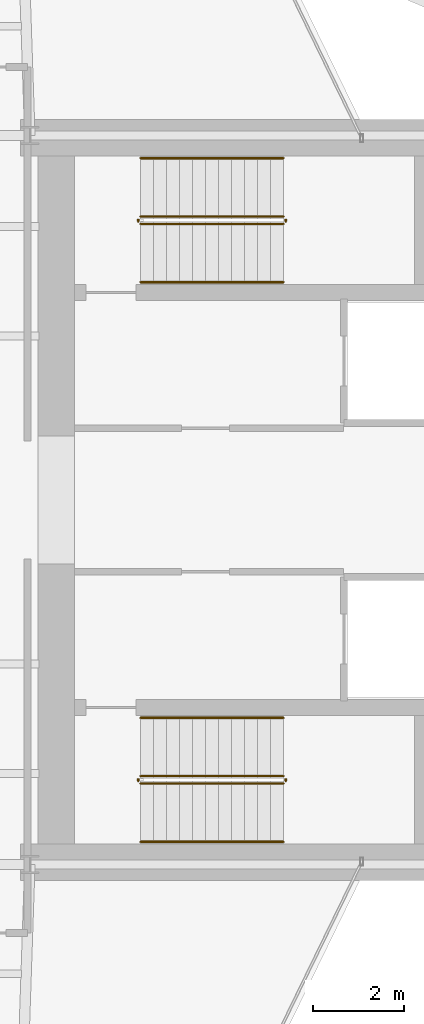
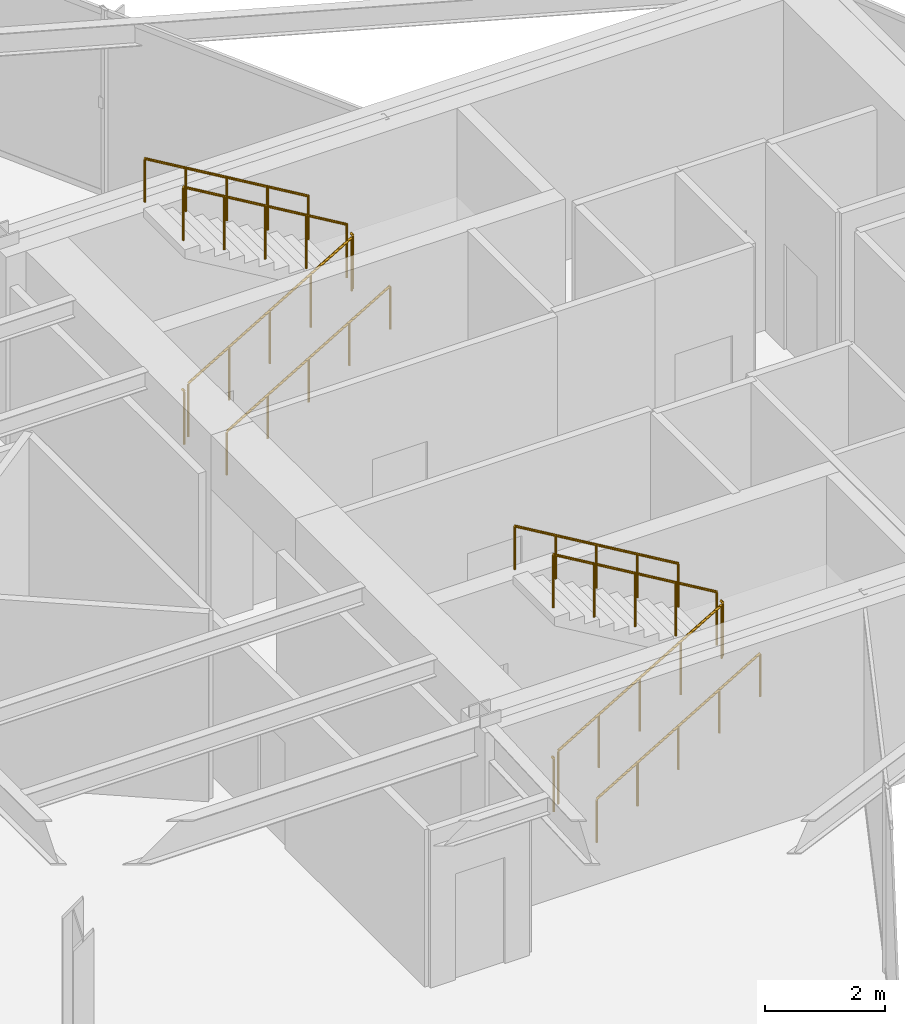
# One storey, part 24 of 24: 12 railings.
"""IFC4 building model written with IfcOpenShell, lengths in metres."""

from ifc_helpers import new_model, si_unit, direction, frame, origin, origin_2d, place, context, subcontext, project, spatial, circle, extrude, material, type_object, element, save


model = new_model("IFC4")

# Units and contexts
model_context = context("Model", 3, precision=1e-05, world=origin(), true_north=direction((0.0, 1.0)))
body_context = subcontext(model_context, "Body", "Model", "MODEL_VIEW")
ifc_project = project(units=[si_unit("LENGTHUNIT", "METRE"), si_unit("AREAUNIT", "SQUARE_METRE"), si_unit("VOLUMEUNIT", "CUBIC_METRE"), si_unit("PLANEANGLEUNIT", "RADIAN"), si_unit("MASSUNIT", "GRAM", prefix="KILO")], contexts=[model_context])

# Site, building, storey
site_placement = place(None, origin())
site = spatial("IfcSite", under=ifc_project, at=site_placement, CompositionType="ELEMENT")
building_placement = place(site_placement, origin())
building = spatial("IfcBuilding", under=site, at=building_placement, Name="Veymaron Broadcast Tower", CompositionType="ELEMENT")
storey_placement = place(building_placement, frame((0.0, 0.0, 124.949951171875)))
storey = spatial("IfcBuildingStorey", under=building, at=storey_placement, Name="L28", CompositionType="ELEMENT", Elevation=124.949951171875)

# Railings
ifc_material_1 = material(Name="Brushed stainless steel AISI 304", Category="steel")
railing_type_1 = type_object("IfcRailingType", Name="RAIL-STAIR-HR", PredefinedType="HANDRAIL", material=ifc_material_1)
railing_1_placement = place(storey_placement, frame((41.429931640625, 28.780029296875, 0.168701171875)))
element("IfcRailing", 1, at=railing_1_placement, inside=storey, type_object=railing_type_1, Name="L28 ST1 stair handrail 1", PredefinedType="HANDRAIL", context=body_context, shape_type="SweptSolid", body=[
    extrude(circle(Radius=0.02392578125, at=origin_2d()), frame((0.0, 0.0, 0.8759765625), z_axis=(0.860452582533, 0.0, 0.509530522356), x_axis=(0.0, 1.0, 0.0)), (0.0, 0.0, 1.0), 3.6435546875),
    extrude(circle(Radius=0.02099609375, at=origin_2d()), origin(), (0.0, 0.0, 1.0), 0.851806640625),
    extrude(circle(Radius=0.02099609375, at=origin_2d()), frame((0.78369140625, 0.0, 0.464111328125)), (0.0, 0.0, 1.0), 0.851806640625),
    extrude(circle(Radius=0.02099609375, at=origin_2d()), frame((1.5673828125, 0.0, 0.92822265625)), (0.0, 0.0, 1.0), 0.851806640625),
    extrude(circle(Radius=0.02099609375, at=origin_2d()), frame((2.351318359375, 0.0, 1.392333984375)), (0.0, 0.0, 1.0), 0.851806640625),
    extrude(circle(Radius=0.02099609375, at=origin_2d()), frame((3.135009765625, 0.0, 1.8564453125)), (0.0, 0.0, 1.0), 0.851806640625),
])
railing_2_placement = place(storey_placement, frame((44.56494140625, 31.5, 2.19384765625)))
element("IfcRailing", 2, at=railing_2_placement, inside=storey, type_object=railing_type_1, Name="L28 ST1 stair handrail 2", PredefinedType="HANDRAIL", context=body_context, shape_type="SweptSolid", body=[
    extrude(circle(Radius=0.02392578125, at=origin_2d()), frame((0.0, 0.0, 0.8759765625), z_axis=(-0.860481960309, 0.0, 0.509480908359), x_axis=(0.0, -1.0, 0.0)), (0.0, 0.0, 1.0), 3.643310546875),
    extrude(circle(Radius=0.02099609375, at=origin_2d()), origin(), (0.0, 0.0, 1.0), 0.851806640625),
    extrude(circle(Radius=0.02099609375, at=origin_2d()), frame((-0.78369140625, 0.0, 0.464111328125)), (0.0, 0.0, 1.0), 0.851806640625),
    extrude(circle(Radius=0.02099609375, at=origin_2d()), frame((-1.5673828125, 0.0, 0.92822265625)), (0.0, 0.0, 1.0), 0.851806640625),
    extrude(circle(Radius=0.02099609375, at=origin_2d()), frame((-2.351318359375, 0.0, 1.39208984375)), (0.0, 0.0, 1.0), 0.851806640625),
    extrude(circle(Radius=0.02099609375, at=origin_2d()), frame((-3.135009765625, 0.0, 1.856201171875)), (0.0, 0.0, 1.0), 0.851806640625),
])
railing_3_placement = place(storey_placement, frame((41.429931640625, 16.5, 0.168701171875)))
element("IfcRailing", 3, at=railing_3_placement, inside=storey, type_object=railing_type_1, Name="L28 ST2 stair handrail 1", PredefinedType="HANDRAIL", context=body_context, shape_type="SweptSolid", body=[
    extrude(circle(Radius=0.02392578125, at=origin_2d()), frame((0.0, 0.0, 0.8759765625), z_axis=(0.860452582533, 0.0, 0.509530522356), x_axis=(0.0, 1.0, 0.0)), (0.0, 0.0, 1.0), 3.6435546875),
    extrude(circle(Radius=0.02099609375, at=origin_2d()), origin(), (0.0, 0.0, 1.0), 0.851806640625),
    extrude(circle(Radius=0.02099609375, at=origin_2d()), frame((0.78369140625, 0.0, 0.464111328125)), (0.0, 0.0, 1.0), 0.851806640625),
    extrude(circle(Radius=0.02099609375, at=origin_2d()), frame((1.5673828125, 0.0, 0.92822265625)), (0.0, 0.0, 1.0), 0.851806640625),
    extrude(circle(Radius=0.02099609375, at=origin_2d()), frame((2.351318359375, 0.0, 1.392333984375)), (0.0, 0.0, 1.0), 0.851806640625),
    extrude(circle(Radius=0.02099609375, at=origin_2d()), frame((3.135009765625, 0.0, 1.8564453125)), (0.0, 0.0, 1.0), 0.851806640625),
])
railing_4_placement = place(storey_placement, frame((44.56494140625, 19.219970703125, 2.19384765625)))
element("IfcRailing", 4, at=railing_4_placement, inside=storey, type_object=railing_type_1, Name="L28 ST2 stair handrail 2", PredefinedType="HANDRAIL", context=body_context, shape_type="SweptSolid", body=[
    extrude(circle(Radius=0.02392578125, at=origin_2d()), frame((0.0, 0.0, 0.8759765625), z_axis=(-0.860481960309, 0.0, 0.509480908359), x_axis=(0.0, -1.0, 0.0)), (0.0, 0.0, 1.0), 3.643310546875),
    extrude(circle(Radius=0.02099609375, at=origin_2d()), origin(), (0.0, 0.0, 1.0), 0.851806640625),
    extrude(circle(Radius=0.02099609375, at=origin_2d()), frame((-0.78369140625, 0.0, 0.464111328125)), (0.0, 0.0, 1.0), 0.851806640625),
    extrude(circle(Radius=0.02099609375, at=origin_2d()), frame((-1.5673828125, 0.0, 0.92822265625)), (0.0, 0.0, 1.0), 0.851806640625),
    extrude(circle(Radius=0.02099609375, at=origin_2d()), frame((-2.351318359375, 0.0, 1.39208984375)), (0.0, 0.0, 1.0), 0.851806640625),
    extrude(circle(Radius=0.02099609375, at=origin_2d()), frame((-3.135009765625, 0.0, 1.856201171875)), (0.0, 0.0, 1.0), 0.851806640625),
])
ifc_material_2 = material(Name="Painted galvanized steel balustrade", Category="steel")
railing_type_2 = type_object("IfcRailingType", Name="RAIL-WELL-GRD", PredefinedType="GUARDRAIL", material=ifc_material_2)
railing_5_placement = place(storey_placement, frame((41.429931640625, 30.06005859375, 0.168701171875)))
element("IfcRailing", 5, at=railing_5_placement, inside=storey, type_object=railing_type_2, Name="L28 ST1 stair guard 1", PredefinedType="GUARDRAIL", context=body_context, shape_type="SweptSolid", body=[
    extrude(circle(Radius=0.02392578125, at=origin_2d()), frame((0.0, 0.0, 1.076171875), z_axis=(0.860452582533, 0.0, 0.509530522356), x_axis=(0.0, 1.0, 0.0)), (0.0, 0.0, 1.0), 3.6435546875),
    extrude(circle(Radius=0.02099609375, at=origin_2d()), origin(), (0.0, 0.0, 1.0), 1.052001953125),
    extrude(circle(Radius=0.02099609375, at=origin_2d()), frame((0.78369140625, 0.0, 0.464111328125)), (0.0, 0.0, 1.0), 1.052001953125),
    extrude(circle(Radius=0.02099609375, at=origin_2d()), frame((1.5673828125, 0.0, 0.92822265625)), (0.0, 0.0, 1.0), 1.052001953125),
    extrude(circle(Radius=0.02099609375, at=origin_2d()), frame((2.351318359375, 0.0, 1.392333984375)), (0.0, 0.0, 1.0), 1.052001953125),
    extrude(circle(Radius=0.02099609375, at=origin_2d()), frame((3.135009765625, 0.0, 1.8564453125)), (0.0, 0.0, 1.0), 1.052001953125),
])
railing_6_placement = place(storey_placement, frame((44.614990234375, 30.110107421875, 2.025146484375)))
element("IfcRailing", 6, at=railing_6_placement, inside=storey, type_object=railing_type_2, Name="L28 ST1 stair guard 2", PredefinedType="GUARDRAIL", context=body_context, shape_type="SweptSolid", body=[
    extrude(circle(Radius=0.02392578125, at=origin_2d()), frame((0.0, 0.0, 1.076171875), z_axis=(0.0, 1.0, 0.0), x_axis=(-1.0, 0.0, 0.0)), (0.0, 0.0, 1.0), 0.059814453125),
    extrude(circle(Radius=0.02099609375, at=origin_2d()), origin(), (0.0, 0.0, 1.0), 1.052001953125),
])
railing_7_placement = place(storey_placement, frame((44.56494140625, 30.219970703125, 2.19384765625)))
element("IfcRailing", 7, at=railing_7_placement, inside=storey, type_object=railing_type_2, Name="L28 ST1 stair guard 3", PredefinedType="GUARDRAIL", context=body_context, shape_type="SweptSolid", body=[
    extrude(circle(Radius=0.02392578125, at=origin_2d()), frame((0.0, 0.0, 1.076171875), z_axis=(-0.860481960309, 0.0, 0.509480908359), x_axis=(0.0, -1.0, 0.0)), (0.0, 0.0, 1.0), 3.643310546875),
    extrude(circle(Radius=0.02099609375, at=origin_2d()), origin(), (0.0, 0.0, 1.0), 1.052001953125),
    extrude(circle(Radius=0.02099609375, at=origin_2d()), frame((-0.78369140625, 0.0, 0.464111328125)), (0.0, 0.0, 1.0), 1.052001953125),
    extrude(circle(Radius=0.02099609375, at=origin_2d()), frame((-1.5673828125, 0.0, 0.92822265625)), (0.0, 0.0, 1.0), 1.052001953125),
    extrude(circle(Radius=0.02099609375, at=origin_2d()), frame((-2.351318359375, 0.0, 1.39208984375)), (0.0, 0.0, 1.0), 1.052001953125),
    extrude(circle(Radius=0.02099609375, at=origin_2d()), frame((-3.135009765625, 0.0, 1.856201171875)), (0.0, 0.0, 1.0), 1.052001953125),
])
railing_8_placement = place(storey_placement, frame((41.3798828125, 30.110107421875, 0.0)))
element("IfcRailing", 8, at=railing_8_placement, inside=storey, type_object=railing_type_2, Name="L28 ST1 stair guard 4", PredefinedType="GUARDRAIL", context=body_context, shape_type="SweptSolid", body=[
    extrude(circle(Radius=0.02392578125, at=origin_2d()), frame((0.0, 0.0, 1.076171875), z_axis=(0.0, 1.0, 0.0), x_axis=(-1.0, 0.0, 0.0)), (0.0, 0.0, 1.0), 0.059814453125),
    extrude(circle(Radius=0.02099609375, at=origin_2d()), origin(), (0.0, 0.0, 1.0), 1.052001953125),
])
railing_9_placement = place(storey_placement, frame((41.429931640625, 17.780029296875, 0.168701171875)))
element("IfcRailing", 9, at=railing_9_placement, inside=storey, type_object=railing_type_2, Name="L28 ST2 stair guard 1", PredefinedType="GUARDRAIL", context=body_context, shape_type="SweptSolid", body=[
    extrude(circle(Radius=0.02392578125, at=origin_2d()), frame((0.0, 0.0, 1.076171875), z_axis=(0.860452582533, 0.0, 0.509530522356), x_axis=(0.0, 1.0, 0.0)), (0.0, 0.0, 1.0), 3.6435546875),
    extrude(circle(Radius=0.02099609375, at=origin_2d()), origin(), (0.0, 0.0, 1.0), 1.052001953125),
    extrude(circle(Radius=0.02099609375, at=origin_2d()), frame((0.78369140625, 0.0, 0.464111328125)), (0.0, 0.0, 1.0), 1.052001953125),
    extrude(circle(Radius=0.02099609375, at=origin_2d()), frame((1.5673828125, 0.0, 0.92822265625)), (0.0, 0.0, 1.0), 1.052001953125),
    extrude(circle(Radius=0.02099609375, at=origin_2d()), frame((2.351318359375, 0.0, 1.392333984375)), (0.0, 0.0, 1.0), 1.052001953125),
    extrude(circle(Radius=0.02099609375, at=origin_2d()), frame((3.135009765625, 0.0, 1.8564453125)), (0.0, 0.0, 1.0), 1.052001953125),
])
railing_10_placement = place(storey_placement, frame((44.614990234375, 17.830078125, 2.025146484375)))
element("IfcRailing", 10, at=railing_10_placement, inside=storey, type_object=railing_type_2, Name="L28 ST2 stair guard 2", PredefinedType="GUARDRAIL", context=body_context, shape_type="SweptSolid", body=[
    extrude(circle(Radius=0.02392578125, at=origin_2d()), frame((0.0, 0.0, 1.076171875), z_axis=(0.0, 1.0, 0.0), x_axis=(-1.0, 0.0, 0.0)), (0.0, 0.0, 1.0), 0.059814453125),
    extrude(circle(Radius=0.02099609375, at=origin_2d()), origin(), (0.0, 0.0, 1.0), 1.052001953125),
])
railing_11_placement = place(storey_placement, frame((44.56494140625, 17.93994140625, 2.19384765625)))
element("IfcRailing", 11, at=railing_11_placement, inside=storey, type_object=railing_type_2, Name="L28 ST2 stair guard 3", PredefinedType="GUARDRAIL", context=body_context, shape_type="SweptSolid", body=[
    extrude(circle(Radius=0.02392578125, at=origin_2d()), frame((0.0, 0.0, 1.076171875), z_axis=(-0.860481960309, 0.0, 0.509480908359), x_axis=(0.0, -1.0, 0.0)), (0.0, 0.0, 1.0), 3.643310546875),
    extrude(circle(Radius=0.02099609375, at=origin_2d()), origin(), (0.0, 0.0, 1.0), 1.052001953125),
    extrude(circle(Radius=0.02099609375, at=origin_2d()), frame((-0.78369140625, 0.0, 0.464111328125)), (0.0, 0.0, 1.0), 1.052001953125),
    extrude(circle(Radius=0.02099609375, at=origin_2d()), frame((-1.5673828125, 0.0, 0.92822265625)), (0.0, 0.0, 1.0), 1.052001953125),
    extrude(circle(Radius=0.02099609375, at=origin_2d()), frame((-2.351318359375, 0.0, 1.39208984375)), (0.0, 0.0, 1.0), 1.052001953125),
    extrude(circle(Radius=0.02099609375, at=origin_2d()), frame((-3.135009765625, 0.0, 1.856201171875)), (0.0, 0.0, 1.0), 1.052001953125),
])
railing_12_placement = place(storey_placement, frame((41.3798828125, 17.830078125, 0.0)))
element("IfcRailing", 12, at=railing_12_placement, inside=storey, type_object=railing_type_2, Name="L28 ST2 stair guard 4", PredefinedType="GUARDRAIL", context=body_context, shape_type="SweptSolid", body=[
    extrude(circle(Radius=0.02392578125, at=origin_2d()), frame((0.0, 0.0, 1.076171875), z_axis=(0.0, 1.0, 0.0), x_axis=(-1.0, 0.0, 0.0)), (0.0, 0.0, 1.0), 0.059814453125),
    extrude(circle(Radius=0.02099609375, at=origin_2d()), origin(), (0.0, 0.0, 1.0), 1.052001953125),
])

save(model, "model.ifc")
